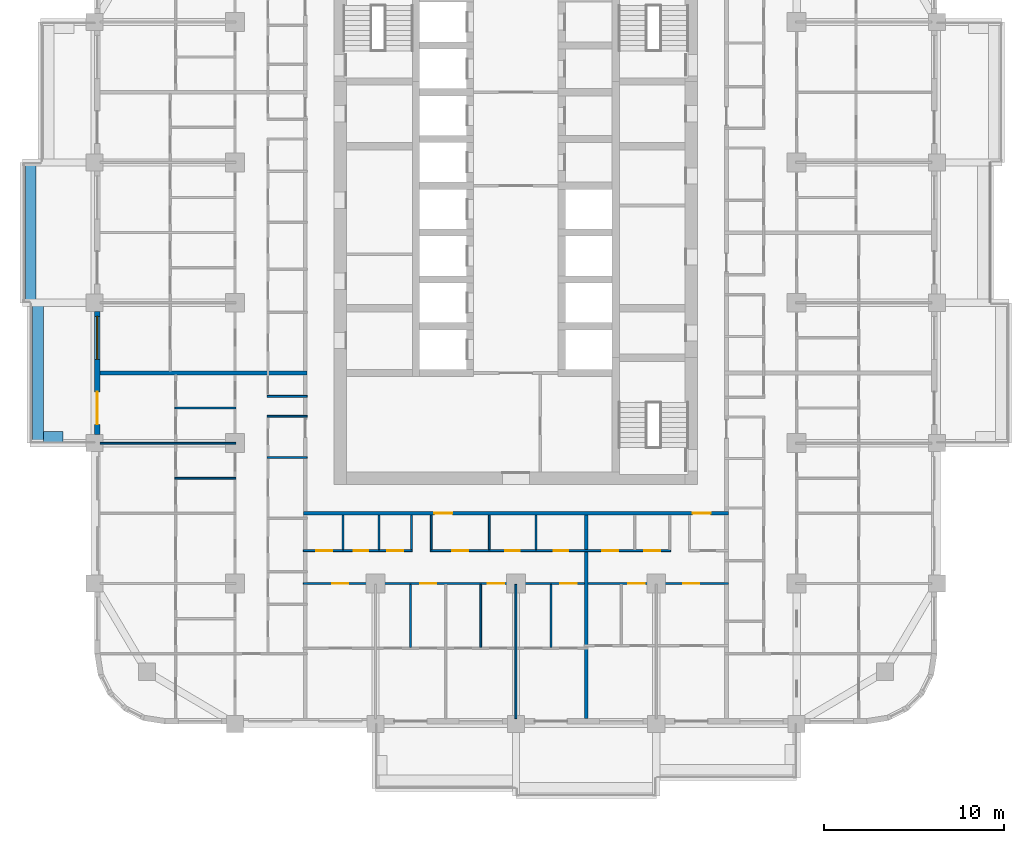
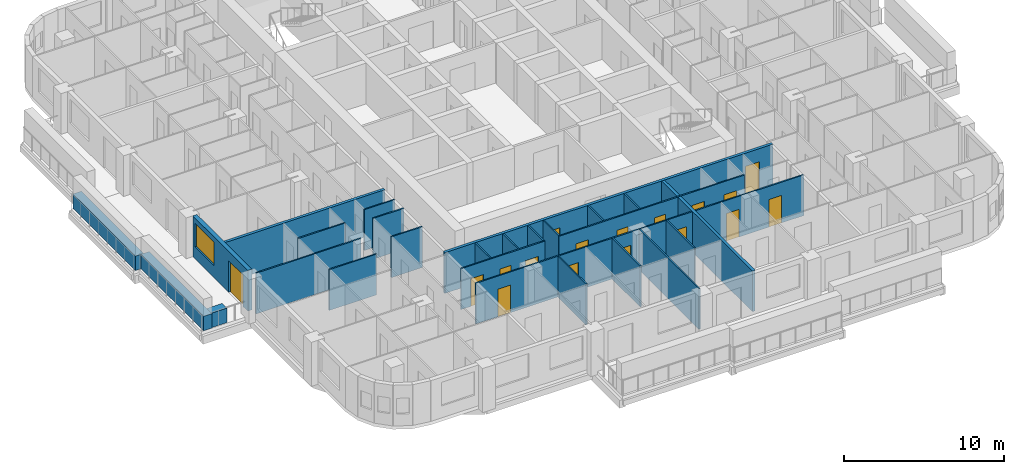
# One storey, part 4 of 17: 26 walls, 17 doors, 1 window, 18 openings.
"""IFC4 building model written with IfcOpenShell, lengths in metres."""

from ifc_helpers import new_model, si_unit, direction, frame, frame_2d, origin, place, context, subcontext, project, spatial, rectangle, extrude, material, layer, layer_set, type_object, element, fill, save


model = new_model("IFC4")

# Units and contexts
model_context = context("Model", 3, precision=1e-05, world=origin(), true_north=direction((0.0, 1.0)))
body_context = subcontext(model_context, "Body", "Model", "MODEL_VIEW")
ifc_project = project(units=[si_unit("LENGTHUNIT", "METRE"), si_unit("AREAUNIT", "SQUARE_METRE"), si_unit("VOLUMEUNIT", "CUBIC_METRE"), si_unit("PLANEANGLEUNIT", "RADIAN"), si_unit("MASSUNIT", "GRAM", prefix="KILO")], contexts=[model_context])

# Site, building, storey
site_placement = place(None, origin())
site = spatial("IfcSite", under=ifc_project, at=site_placement, CompositionType="ELEMENT")
building_placement = place(site_placement, origin())
building = spatial("IfcBuilding", under=site, at=building_placement, Name="Ludao Terraces", CompositionType="ELEMENT")
storey_placement = place(building_placement, frame((0.0, 0.0, 92.0)))
storey = spatial("IfcBuildingStorey", under=building, at=storey_placement, Name="L25", CompositionType="ELEMENT", Elevation=92.0)

# Walls
ifc_material_1 = material(Name="Concrete C40", Category="concrete")
ifc_layer_1 = layer(ifc_material_1, 0.60009765625)
ifc_layer_set_1 = layer_set([ifc_layer_1], Name="ENV Planter trough 600")
wall_type_1 = type_object("IfcWallType", Name="ENV Planter trough 600", PredefinedType="USERDEFINED", material=ifc_layer_set_1)
wall_1_placement = place(storey_placement, frame((58.449951171875, 57.199951171875, 0.0), z_axis=(0.0, 0.0, 1.0), x_axis=(0.0, 1.0, 0.0)))
element("IfcWall", 1, at=wall_1_placement, inside=storey, type_object=wall_type_1, Name="PL-L25-W2", ObjectType="PLANTER", PredefinedType="USERDEFINED", context=body_context, shape_type="SweptSolid", body=[
    extrude(rectangle(XDim=7.800048828125, YDim=0.60009765625, at=frame_2d((3.89990234375, 0.0))), origin(), (0.0, 0.0, 1.0), 1.10009765625),
])
wall_2_placement = place(storey_placement, frame((58.75, 57.550048828125, 0.0), z_axis=(0.0, 0.0, 1.0), x_axis=(1.0, 0.0, 0.0)))
element("IfcWall", 2, at=wall_2_placement, inside=storey, type_object=wall_type_1, Name="PL-L25-W2-SA", ObjectType="PLANTER", PredefinedType="USERDEFINED", context=body_context, shape_type="SweptSolid", body=[
    extrude(rectangle(XDim=1.10009765625, YDim=0.60009765625, at=frame_2d((0.550048828125, 0.0))), origin(), (0.0, 0.0, 1.0), 1.10009765625),
])
wall_3_placement = place(storey_placement, frame((58.050048828125, 65.0, 0.0), z_axis=(0.0, 0.0, 1.0), x_axis=(0.0, 1.0, 0.0)))
element("IfcWall", 3, at=wall_3_placement, inside=storey, type_object=wall_type_1, Name="PL-L25-W3", ObjectType="PLANTER", PredefinedType="USERDEFINED", context=body_context, shape_type="SweptSolid", body=[
    extrude(rectangle(XDim=7.800048828125, YDim=0.60009765625, at=frame_2d((3.89990234375, 0.0))), origin(), (0.0, 0.0, 1.0), 1.10009765625),
])

# Wall, openings, door, window
ifc_material_2 = material(Name="Granite cladding", Category="masonry")
ifc_layer_2 = layer(ifc_material_2, 0.0400390625, Category="stone")
ifc_material_3 = material(Name="Mineral wool")
ifc_layer_3 = layer(ifc_material_3, 0.06005859375)
ifc_layer_4 = layer(ifc_material_1, 0.199951171875, Category="concrete")
ifc_layer_set_2 = layer_set([ifc_layer_2, ifc_layer_3, ifc_layer_4], Name="ENV Stone-clad wall 300")
wall_type_2 = type_object("IfcWallType", Name="ENV Stone-clad wall 300", PredefinedType="SOLIDWALL", material=ifc_layer_set_2)
wall_4_placement = place(storey_placement, frame((61.75, 57.675048828125, 0.0), z_axis=(0.0, 0.0, 1.0), x_axis=(0.0, 1.0, 0.0)))
wall_4 = element("IfcWall", 4, at=wall_4_placement, inside=storey, type_object=wall_type_2, Name="EW-L25-W3", PredefinedType="SOLIDWALL", context=body_context, shape_type="SweptSolid", body=[
    extrude(rectangle(XDim=6.849853515625, YDim=0.300048828125, at=frame_2d((3.4248046875, 0.0))), origin(), (0.0, 0.0, 1.0), 3.10009765625),
])
opening_1_placement = place(wall_4_placement, frame((0.574951171875, 0.0, 0.0)))
opening_1 = element("IfcOpeningElement", 5, at=opening_1_placement, cuts=wall_4, Name="Opening BD", PredefinedType="OPENING", context=body_context, shape_type="SweptSolid", body=[
    extrude(rectangle(XDim=1.800048828125, YDim=2.39990234375, at=frame_2d((0.89990234375, 1.199951171875))), frame((0.0, 0.16015625, 0.0), z_axis=(0.0, -1.0, 0.0), x_axis=(1.0, 0.0, 0.0)), (0.0, 0.0, 1.0), 0.320068359375),
])
opening_2_placement = place(wall_4_placement, frame((4.175048828125, 0.0, 0.89990234375)))
opening_2 = element("IfcOpeningElement", 6, at=opening_2_placement, cuts=wall_4, Name="Opening W1", PredefinedType="OPENING", context=body_context, shape_type="SweptSolid", body=[
    extrude(rectangle(XDim=2.39990234375, YDim=1.800048828125, at=frame_2d((1.199951171875, 0.89990234375))), frame((0.0, 0.16015625, 0.0), z_axis=(0.0, -1.0, 0.0), x_axis=(1.0, 0.0, 0.0)), (0.0, 0.0, 1.0), 0.320068359375),
])
ifc_material_4 = material(Name="Aluminium glazed door", Category="aluminium")
ifc_layer_5 = layer(ifc_material_4, 0.06005859375)
ifc_layer_set_3 = layer_set([ifc_layer_5], Name="ENV Balcony door BD 1800x2400")
door_type_1 = type_object("IfcDoorType", Name="ENV Balcony door BD 1800x2400", OperationType="DOUBLE_DOOR_SINGLE_SWING", PredefinedType="DOOR", material=ifc_layer_set_3)
door_1_placement = place(opening_1_placement, origin())
door_1 = element("IfcDoor", 7, at=door_1_placement, inside=storey, type_object=door_type_1, Name="BD-L25-W3-1", OperationType="DOUBLE_DOOR_SINGLE_SWING", OverallHeight=2.39990234375, OverallWidth=1.800048828125, PredefinedType="DOOR", context=body_context, shape_type="SweptSolid", body=[
    extrude(rectangle(XDim=1.800048828125, YDim=2.39990234375, at=frame_2d((0.89990234375, 1.199951171875))), frame((0.0, 0.02490234375, 0.0), z_axis=(0.0, -1.0, 0.0), x_axis=(1.0, 0.0, 0.0)), (0.0, 0.0, 1.0), 0.050048828125),
])
fill(opening_1, door_1)
ifc_material_5 = material(Name="Clear glass in aluminium frame", Category="aluminium")
ifc_layer_6 = layer(ifc_material_5, 0.06005859375)
ifc_layer_set_4 = layer_set([ifc_layer_6], Name="ENV Window W1 2400x1800")
window_type = type_object("IfcWindowType", Name="ENV Window W1 2400x1800", PartitioningType="DOUBLE_PANEL_VERTICAL", PredefinedType="WINDOW", material=ifc_layer_set_4)
window_placement = place(opening_2_placement, origin())
window = element("IfcWindow", 8, at=window_placement, inside=storey, type_object=window_type, Name="W-L25-W3-2", OverallHeight=1.800048828125, OverallWidth=2.39990234375, PartitioningType="DOUBLE_PANEL_VERTICAL", PredefinedType="WINDOW", context=body_context, shape_type="SweptSolid", body=[
    extrude(rectangle(XDim=2.39990234375, YDim=1.800048828125, at=frame_2d((1.199951171875, 0.89990234375))), frame((0.0, 0.030029296875, 0.0), z_axis=(0.0, -1.0, 0.0), x_axis=(1.0, 0.0, 0.0)), (0.0, 0.0, 1.0), 0.06005859375),
])
fill(opening_2, window)

# Wall, openings, doors
ifc_material_6 = material(Name="Autoclaved aerated concrete block B06 A3.5", Category="concrete")
ifc_layer_7 = layer(ifc_material_6, 0.199951171875)
ifc_layer_set_5 = layer_set([ifc_layer_7], Name="INT Entrance wall 200")
wall_type_3 = type_object("IfcWallType", Name="INT Entrance wall 200", PredefinedType="PARTITIONING", material=ifc_layer_set_5)
wall_5_placement = place(storey_placement, frame((73.2001953125, 53.300048828125, 0.0), z_axis=(0.0, 0.0, 1.0), x_axis=(1.0, 0.0, 0.0)))
wall_5 = element("IfcWall", 9, at=wall_5_placement, inside=storey, type_object=wall_type_3, Name="PW-L25-PW017", PredefinedType="PARTITIONING", context=body_context, shape_type="SweptSolid", body=[
    extrude(rectangle(XDim=23.599853515625, YDim=0.199951171875, at=frame_2d((11.7998046875, 0.0))), origin(), (0.0, 0.0, 1.0), 3.10009765625),
])
opening_3_placement = place(wall_5_placement, frame((7.27490234375, 0.0, 0.0)))
opening_3 = element("IfcOpeningElement", 10, at=opening_3_placement, cuts=wall_5, Name="Opening R07-047", PredefinedType="OPENING", context=body_context, shape_type="SweptSolid", body=[
    extrude(rectangle(XDim=1.0, YDim=2.10009765625, at=frame_2d((0.5, 1.050048828125))), frame((0.0, 0.10986328125, 0.0), z_axis=(0.0, -1.0, 0.0), x_axis=(1.0, 0.0, 0.0)), (0.0, 0.0, 1.0), 0.219970703125),
])
opening_4_placement = place(wall_5_placement, frame((21.625, 0.0, 0.0)))
opening_4 = element("IfcOpeningElement", 11, at=opening_4_placement, cuts=wall_5, Name="Opening R07-048", PredefinedType="OPENING", context=body_context, shape_type="SweptSolid", body=[
    extrude(rectangle(XDim=1.0, YDim=2.10009765625, at=frame_2d((0.5, 1.050048828125))), frame((0.0, 0.10986328125, 0.0), z_axis=(0.0, -1.0, 0.0), x_axis=(1.0, 0.0, 0.0)), (0.0, 0.0, 1.0), 0.219970703125),
])
ifc_material_7 = material(Name="Steel Q235", Category="steel")
door_type_2 = type_object("IfcDoorType", Name="INT Flat entrance door 1000", OperationType="SINGLE_SWING_LEFT", PredefinedType="DOOR", material=ifc_material_7)
door_2_placement = place(opening_3_placement, origin())
door_2 = element("IfcDoor", 12, at=door_2_placement, inside=storey, type_object=door_type_2, Name="DOOR 047", OperationType="SINGLE_SWING_LEFT", OverallHeight=2.10009765625, OverallWidth=1.0, PredefinedType="DOOR", context=body_context, shape_type="SweptSolid", body=[
    extrude(rectangle(XDim=1.0, YDim=2.10009765625, at=frame_2d((0.5, 1.050048828125))), frame((0.0, 0.02490234375, 0.0), z_axis=(0.0, -1.0, 0.0), x_axis=(1.0, 0.0, 0.0)), (0.0, 0.0, 1.0), 0.050048828125),
])
fill(opening_3, door_2)
door_3_placement = place(opening_4_placement, origin())
door_3 = element("IfcDoor", 13, at=door_3_placement, inside=storey, type_object=door_type_2, Name="DOOR 048", OperationType="SINGLE_SWING_LEFT", OverallHeight=2.10009765625, OverallWidth=1.0, PredefinedType="DOOR", context=body_context, shape_type="SweptSolid", body=[
    extrude(rectangle(XDim=1.0, YDim=2.10009765625, at=frame_2d((0.5, 1.050048828125))), frame((0.0, 0.02490234375, 0.0), z_axis=(0.0, -1.0, 0.0), x_axis=(1.0, 0.0, 0.0)), (0.0, 0.0, 1.0), 0.050048828125),
])
fill(opening_4, door_3)

ifc_material_8 = material(Name="Gypsum plasterboard", Category="gypsum")
ifc_layer_8 = layer(ifc_material_8, 0.012451171875, Category="gypsum")
ifc_layer_9 = layer(ifc_material_3, 0.06005859375, Name="insulation")
ifc_layer_10 = layer(ifc_material_7, 0.014892578125, Name="stud")
ifc_layer_11 = layer(ifc_material_8, 0.012451171875, Category="gypsum")
ifc_layer_set_6 = layer_set([ifc_layer_8, ifc_layer_9, ifc_layer_10, ifc_layer_11], Name="INT Partition 100")
wall_type_4 = type_object("IfcWallType", Name="INT Partition 100", PredefinedType="PARTITIONING", material=ifc_layer_set_6)
wall_6_placement = place(storey_placement, frame((73.2001953125, 49.39990234375, 0.0), z_axis=(0.0, 0.0, 1.0), x_axis=(1.0, 0.0, 0.0)))
wall_6 = element("IfcWall", 14, at=wall_6_placement, inside=storey, type_object=wall_type_4, Name="PW-L25-PW008", PredefinedType="PARTITIONING", context=body_context, shape_type="SweptSolid", body=[
    extrude(rectangle(XDim=23.599853515625, YDim=0.10009765625, at=frame_2d((11.7998046875, 0.0))), origin(), (0.0, 0.0, 1.0), 3.10009765625),
])
opening_5_placement = place(wall_6_placement, frame((1.599853515625, 0.0, 0.0)))
opening_5 = element("IfcOpeningElement", 15, at=opening_5_placement, cuts=wall_6, Name="Opening R07-026", PredefinedType="OPENING", context=body_context, shape_type="SweptSolid", body=[
    extrude(rectangle(XDim=0.89990234375, YDim=2.10009765625, at=frame_2d((0.449951171875, 1.050048828125))), frame((0.0, 0.06005859375, 0.0), z_axis=(0.0, -1.0, 0.0), x_axis=(1.0, 0.0, 0.0)), (0.0, 0.0, 1.0), 0.1201171875),
])
opening_6_placement = place(wall_6_placement, frame((6.474853515625, 0.0, 0.0)))
opening_6 = element("IfcOpeningElement", 16, at=opening_6_placement, cuts=wall_6, Name="Opening R07-027", PredefinedType="OPENING", context=body_context, shape_type="SweptSolid", body=[
    extrude(rectangle(XDim=0.89990234375, YDim=2.10009765625, at=frame_2d((0.449951171875, 1.050048828125))), frame((0.0, 0.06005859375, 0.0), z_axis=(0.0, -1.0, 0.0), x_axis=(1.0, 0.0, 0.0)), (0.0, 0.0, 1.0), 0.1201171875),
])
opening_7_placement = place(wall_6_placement, frame((10.25, 0.0, 0.0)))
opening_7 = element("IfcOpeningElement", 17, at=opening_7_placement, cuts=wall_6, Name="Opening R07-028", PredefinedType="OPENING", context=body_context, shape_type="SweptSolid", body=[
    extrude(rectangle(XDim=0.89990234375, YDim=2.10009765625, at=frame_2d((0.449951171875, 1.050048828125))), frame((0.0, 0.06005859375, 0.0), z_axis=(0.0, -1.0, 0.0), x_axis=(1.0, 0.0, 0.0)), (0.0, 0.0, 1.0), 0.1201171875),
])
opening_8_placement = place(wall_6_placement, frame((14.27490234375, 0.0, 0.0)))
opening_8 = element("IfcOpeningElement", 18, at=opening_8_placement, cuts=wall_6, Name="Opening R07-029", PredefinedType="OPENING", context=body_context, shape_type="SweptSolid", body=[
    extrude(rectangle(XDim=0.89990234375, YDim=2.10009765625, at=frame_2d((0.449951171875, 1.050048828125))), frame((0.0, 0.06005859375, 0.0), z_axis=(0.0, -1.0, 0.0), x_axis=(1.0, 0.0, 0.0)), (0.0, 0.0, 1.0), 0.1201171875),
])
opening_9_placement = place(wall_6_placement, frame((18.0498046875, 0.0, 0.0)))
opening_9 = element("IfcOpeningElement", 19, at=opening_9_placement, cuts=wall_6, Name="Opening R07-030", PredefinedType="OPENING", context=body_context, shape_type="SweptSolid", body=[
    extrude(rectangle(XDim=0.89990234375, YDim=2.10009765625, at=frame_2d((0.449951171875, 1.050048828125))), frame((0.0, 0.06005859375, 0.0), z_axis=(0.0, -1.0, 0.0), x_axis=(1.0, 0.0, 0.0)), (0.0, 0.0, 1.0), 0.1201171875),
])
opening_10_placement = place(wall_6_placement, frame((21.099853515625, 0.0, 0.0)))
opening_10 = element("IfcOpeningElement", 20, at=opening_10_placement, cuts=wall_6, Name="Opening R07-031", PredefinedType="OPENING", context=body_context, shape_type="SweptSolid", body=[
    extrude(rectangle(XDim=0.89990234375, YDim=2.10009765625, at=frame_2d((0.449951171875, 1.050048828125))), frame((0.0, 0.06005859375, 0.0), z_axis=(0.0, -1.0, 0.0), x_axis=(1.0, 0.0, 0.0)), (0.0, 0.0, 1.0), 0.1201171875),
])
ifc_material_9 = material(Name="Timber door leaf", Category="wood")
door_type_3 = type_object("IfcDoorType", Name="INT Room door 900", OperationType="SINGLE_SWING_LEFT", PredefinedType="DOOR", material=ifc_material_9)
door_4_placement = place(opening_5_placement, origin())
door_4 = element("IfcDoor", 21, at=door_4_placement, inside=storey, type_object=door_type_3, Name="DOOR 026", OperationType="SINGLE_SWING_LEFT", OverallHeight=2.10009765625, OverallWidth=0.89990234375, PredefinedType="DOOR", context=body_context, shape_type="SweptSolid", body=[
    extrude(rectangle(XDim=0.89990234375, YDim=2.10009765625, at=frame_2d((0.449951171875, 1.050048828125))), frame((0.0, 0.02490234375, 0.0), z_axis=(0.0, -1.0, 0.0), x_axis=(1.0, 0.0, 0.0)), (0.0, 0.0, 1.0), 0.050048828125),
])
fill(opening_5, door_4)
door_5_placement = place(opening_6_placement, origin())
door_5 = element("IfcDoor", 22, at=door_5_placement, inside=storey, type_object=door_type_3, Name="DOOR 027", OperationType="SINGLE_SWING_RIGHT", OverallHeight=2.10009765625, OverallWidth=0.89990234375, PredefinedType="DOOR", context=body_context, shape_type="SweptSolid", body=[
    extrude(rectangle(XDim=0.89990234375, YDim=2.10009765625, at=frame_2d((0.449951171875, 1.050048828125))), frame((0.0, 0.02490234375, 0.0), z_axis=(0.0, -1.0, 0.0), x_axis=(1.0, 0.0, 0.0)), (0.0, 0.0, 1.0), 0.050048828125),
])
fill(opening_6, door_5)
door_6_placement = place(opening_7_placement, origin())
door_6 = element("IfcDoor", 23, at=door_6_placement, inside=storey, type_object=door_type_3, Name="DOOR 028", OperationType="SINGLE_SWING_RIGHT", OverallHeight=2.10009765625, OverallWidth=0.89990234375, PredefinedType="DOOR", context=body_context, shape_type="SweptSolid", body=[
    extrude(rectangle(XDim=0.89990234375, YDim=2.10009765625, at=frame_2d((0.449951171875, 1.050048828125))), frame((0.0, 0.02490234375, 0.0), z_axis=(0.0, -1.0, 0.0), x_axis=(1.0, 0.0, 0.0)), (0.0, 0.0, 1.0), 0.050048828125),
])
fill(opening_7, door_6)
door_7_placement = place(opening_8_placement, origin())
door_7 = element("IfcDoor", 24, at=door_7_placement, inside=storey, type_object=door_type_3, Name="DOOR 029", OperationType="SINGLE_SWING_LEFT", OverallHeight=2.10009765625, OverallWidth=0.89990234375, PredefinedType="DOOR", context=body_context, shape_type="SweptSolid", body=[
    extrude(rectangle(XDim=0.89990234375, YDim=2.10009765625, at=frame_2d((0.449951171875, 1.050048828125))), frame((0.0, 0.02490234375, 0.0), z_axis=(0.0, -1.0, 0.0), x_axis=(1.0, 0.0, 0.0)), (0.0, 0.0, 1.0), 0.050048828125),
])
fill(opening_8, door_7)
door_8_placement = place(opening_9_placement, origin())
door_8 = element("IfcDoor", 25, at=door_8_placement, inside=storey, type_object=door_type_3, Name="DOOR 030", OperationType="SINGLE_SWING_RIGHT", OverallHeight=2.10009765625, OverallWidth=0.89990234375, PredefinedType="DOOR", context=body_context, shape_type="SweptSolid", body=[
    extrude(rectangle(XDim=0.89990234375, YDim=2.10009765625, at=frame_2d((0.449951171875, 1.050048828125))), frame((0.0, 0.02490234375, 0.0), z_axis=(0.0, -1.0, 0.0), x_axis=(1.0, 0.0, 0.0)), (0.0, 0.0, 1.0), 0.050048828125),
])
fill(opening_9, door_8)
door_9_placement = place(opening_10_placement, origin())
door_9 = element("IfcDoor", 26, at=door_9_placement, inside=storey, type_object=door_type_3, Name="DOOR 031", OperationType="SINGLE_SWING_RIGHT", OverallHeight=2.10009765625, OverallWidth=0.89990234375, PredefinedType="DOOR", context=body_context, shape_type="SweptSolid", body=[
    extrude(rectangle(XDim=0.89990234375, YDim=2.10009765625, at=frame_2d((0.449951171875, 1.050048828125))), frame((0.0, 0.02490234375, 0.0), z_axis=(0.0, -1.0, 0.0), x_axis=(1.0, 0.0, 0.0)), (0.0, 0.0, 1.0), 0.050048828125),
])
fill(opening_10, door_9)

wall_7_placement = place(storey_placement, frame((73.2001953125, 51.22998046875, 0.0), z_axis=(0.0, 0.0, 1.0), x_axis=(1.0, 0.0, 0.0)))
wall_7 = element("IfcWall", 27, at=wall_7_placement, inside=storey, type_object=wall_type_4, Name="PW-L25-PW012", PredefinedType="PARTITIONING", context=body_context, shape_type="SweptSolid", body=[
    extrude(rectangle(XDim=6.0498046875, YDim=0.10009765625, at=frame_2d((3.02490234375, 0.0))), origin(), (0.0, 0.0, 1.0), 3.10009765625),
])
opening_11_placement = place(wall_7_placement, frame((0.699951171875, 0.0, 0.0)))
opening_11 = element("IfcOpeningElement", 28, at=opening_11_placement, cuts=wall_7, Name="Opening R07-032", PredefinedType="OPENING", context=body_context, shape_type="SweptSolid", body=[
    extrude(rectangle(XDim=0.89990234375, YDim=2.10009765625, at=frame_2d((0.449951171875, 1.050048828125))), frame((0.0, 0.06005859375, 0.0), z_axis=(0.0, -1.0, 0.0), x_axis=(1.0, 0.0, 0.0)), (0.0, 0.0, 1.0), 0.1201171875),
])
opening_12_placement = place(wall_7_placement, frame((2.7998046875, 0.0, 0.0)))
opening_12 = element("IfcOpeningElement", 29, at=opening_12_placement, cuts=wall_7, Name="Opening R07-033", PredefinedType="OPENING", context=body_context, shape_type="SweptSolid", body=[
    extrude(rectangle(XDim=0.800048828125, YDim=2.10009765625, at=frame_2d((0.39990234375, 1.050048828125))), frame((0.0, 0.06005859375, 0.0), z_axis=(0.0, -1.0, 0.0), x_axis=(1.0, 0.0, 0.0)), (0.0, 0.0, 1.0), 0.1201171875),
])
opening_13_placement = place(wall_7_placement, frame((4.64990234375, 0.0, 0.0)))
opening_13 = element("IfcOpeningElement", 30, at=opening_13_placement, cuts=wall_7, Name="Opening R07-034", PredefinedType="OPENING", context=body_context, shape_type="SweptSolid", body=[
    extrude(rectangle(XDim=0.89990234375, YDim=2.10009765625, at=frame_2d((0.449951171875, 1.050048828125))), frame((0.0, 0.06005859375, 0.0), z_axis=(0.0, -1.0, 0.0), x_axis=(1.0, 0.0, 0.0)), (0.0, 0.0, 1.0), 0.1201171875),
])
door_type_4 = type_object("IfcDoorType", Name="INT Bathroom door 900", OperationType="SINGLE_SWING_LEFT", PredefinedType="DOOR", material=ifc_material_9)
door_10_placement = place(opening_11_placement, origin())
door_10 = element("IfcDoor", 31, at=door_10_placement, inside=storey, type_object=door_type_4, Name="DOOR 032", OperationType="SINGLE_SWING_LEFT", OverallHeight=2.10009765625, OverallWidth=0.89990234375, PredefinedType="DOOR", context=body_context, shape_type="SweptSolid", body=[
    extrude(rectangle(XDim=0.89990234375, YDim=2.10009765625, at=frame_2d((0.449951171875, 1.050048828125))), frame((0.0, 0.02490234375, 0.0), z_axis=(0.0, -1.0, 0.0), x_axis=(1.0, 0.0, 0.0)), (0.0, 0.0, 1.0), 0.050048828125),
])
fill(opening_11, door_10)
door_11_placement = place(opening_13_placement, origin())
door_11 = element("IfcDoor", 32, at=door_11_placement, inside=storey, type_object=door_type_4, Name="DOOR 034", OperationType="SINGLE_SWING_LEFT", OverallHeight=2.10009765625, OverallWidth=0.89990234375, PredefinedType="DOOR", context=body_context, shape_type="SweptSolid", body=[
    extrude(rectangle(XDim=0.89990234375, YDim=2.10009765625, at=frame_2d((0.449951171875, 1.050048828125))), frame((0.0, 0.02490234375, 0.0), z_axis=(0.0, -1.0, 0.0), x_axis=(1.0, 0.0, 0.0)), (0.0, 0.0, 1.0), 0.050048828125),
])
fill(opening_13, door_11)
door_type_5 = type_object("IfcDoorType", Name="INT Store door 800", OperationType="SINGLE_SWING_LEFT", PredefinedType="DOOR", material=ifc_material_9)
door_12_placement = place(opening_12_placement, origin())
door_12 = element("IfcDoor", 33, at=door_12_placement, inside=storey, type_object=door_type_5, Name="DOOR 033", OperationType="SINGLE_SWING_LEFT", OverallHeight=2.10009765625, OverallWidth=0.800048828125, PredefinedType="DOOR", context=body_context, shape_type="SweptSolid", body=[
    extrude(rectangle(XDim=0.800048828125, YDim=2.10009765625, at=frame_2d((0.39990234375, 1.050048828125))), frame((0.0, 0.02490234375, 0.0), z_axis=(0.0, -1.0, 0.0), x_axis=(1.0, 0.0, 0.0)), (0.0, 0.0, 1.0), 0.050048828125),
])
fill(opening_12, door_12)

wall_8_placement = place(storey_placement, frame((80.25, 51.22998046875, 0.0), z_axis=(0.0, 0.0, 1.0), x_axis=(1.0, 0.0, 0.0)))
wall_8 = element("IfcWall", 34, at=wall_8_placement, inside=storey, type_object=wall_type_4, Name="PW-L25-PW013", PredefinedType="PARTITIONING", context=body_context, shape_type="SweptSolid", body=[
    extrude(rectangle(XDim=13.35009765625, YDim=0.10009765625, at=frame_2d((6.675048828125, 0.0))), origin(), (0.0, 0.0, 1.0), 3.10009765625),
])
opening_14_placement = place(wall_8_placement, frame((1.210205078125, 0.0, 0.0)))
opening_14 = element("IfcOpeningElement", 35, at=opening_14_placement, cuts=wall_8, Name="Opening R07-035", PredefinedType="OPENING", context=body_context, shape_type="SweptSolid", body=[
    extrude(rectangle(XDim=0.89990234375, YDim=2.10009765625, at=frame_2d((0.449951171875, 1.050048828125))), frame((0.0, 0.06005859375, 0.0), z_axis=(0.0, -1.0, 0.0), x_axis=(1.0, 0.0, 0.0)), (0.0, 0.0, 1.0), 0.1201171875),
])
opening_15_placement = place(wall_8_placement, frame((4.170166015625, 0.0, 0.0)))
opening_15 = element("IfcOpeningElement", 36, at=opening_15_placement, cuts=wall_8, Name="Opening R07-036", PredefinedType="OPENING", context=body_context, shape_type="SweptSolid", body=[
    extrude(rectangle(XDim=0.800048828125, YDim=2.10009765625, at=frame_2d((0.39990234375, 1.050048828125))), frame((0.0, 0.06005859375, 0.0), z_axis=(0.0, -1.0, 0.0), x_axis=(1.0, 0.0, 0.0)), (0.0, 0.0, 1.0), 0.1201171875),
])
opening_16_placement = place(wall_8_placement, frame((6.860107421875, 0.0, 0.0)))
opening_16 = element("IfcOpeningElement", 37, at=opening_16_placement, cuts=wall_8, Name="Opening R07-037", PredefinedType="OPENING", context=body_context, shape_type="SweptSolid", body=[
    extrude(rectangle(XDim=0.800048828125, YDim=2.10009765625, at=frame_2d((0.39990234375, 1.050048828125))), frame((0.0, 0.06005859375, 0.0), z_axis=(0.0, -1.0, 0.0), x_axis=(1.0, 0.0, 0.0)), (0.0, 0.0, 1.0), 0.1201171875),
])
opening_17_placement = place(wall_8_placement, frame((9.550048828125, 0.0, 0.0)))
opening_17 = element("IfcOpeningElement", 38, at=opening_17_placement, cuts=wall_8, Name="Opening R07-038", PredefinedType="OPENING", context=body_context, shape_type="SweptSolid", body=[
    extrude(rectangle(XDim=0.89990234375, YDim=2.10009765625, at=frame_2d((0.449951171875, 1.050048828125))), frame((0.0, 0.06005859375, 0.0), z_axis=(0.0, -1.0, 0.0), x_axis=(1.0, 0.0, 0.0)), (0.0, 0.0, 1.0), 0.1201171875),
])
opening_18_placement = place(wall_8_placement, frame((11.875, 0.0, 0.0)))
opening_18 = element("IfcOpeningElement", 39, at=opening_18_placement, cuts=wall_8, Name="Opening R07-039", PredefinedType="OPENING", context=body_context, shape_type="SweptSolid", body=[
    extrude(rectangle(XDim=0.89990234375, YDim=2.10009765625, at=frame_2d((0.449951171875, 1.050048828125))), frame((0.0, 0.06005859375, 0.0), z_axis=(0.0, -1.0, 0.0), x_axis=(1.0, 0.0, 0.0)), (0.0, 0.0, 1.0), 0.1201171875),
])
door_13_placement = place(opening_18_placement, origin())
door_13 = element("IfcDoor", 40, at=door_13_placement, inside=storey, type_object=door_type_4, Name="DOOR 039", OperationType="SINGLE_SWING_LEFT", OverallHeight=2.10009765625, OverallWidth=0.89990234375, PredefinedType="DOOR", context=body_context, shape_type="SweptSolid", body=[
    extrude(rectangle(XDim=0.89990234375, YDim=2.10009765625, at=frame_2d((0.449951171875, 1.050048828125))), frame((0.0, 0.02490234375, 0.0), z_axis=(0.0, -1.0, 0.0), x_axis=(1.0, 0.0, 0.0)), (0.0, 0.0, 1.0), 0.050048828125),
])
fill(opening_18, door_13)
door_14_placement = place(opening_14_placement, origin())
door_14 = element("IfcDoor", 41, at=door_14_placement, inside=storey, type_object=door_type_3, Name="DOOR 035", OperationType="SINGLE_SWING_LEFT", OverallHeight=2.10009765625, OverallWidth=0.89990234375, PredefinedType="DOOR", context=body_context, shape_type="SweptSolid", body=[
    extrude(rectangle(XDim=0.89990234375, YDim=2.10009765625, at=frame_2d((0.449951171875, 1.050048828125))), frame((0.0, 0.02490234375, 0.0), z_axis=(0.0, -1.0, 0.0), x_axis=(1.0, 0.0, 0.0)), (0.0, 0.0, 1.0), 0.050048828125),
])
fill(opening_14, door_14)
door_15_placement = place(opening_17_placement, origin())
door_15 = element("IfcDoor", 42, at=door_15_placement, inside=storey, type_object=door_type_3, Name="DOOR 038", OperationType="SINGLE_SWING_LEFT", OverallHeight=2.10009765625, OverallWidth=0.89990234375, PredefinedType="DOOR", context=body_context, shape_type="SweptSolid", body=[
    extrude(rectangle(XDim=0.89990234375, YDim=2.10009765625, at=frame_2d((0.449951171875, 1.050048828125))), frame((0.0, 0.02490234375, 0.0), z_axis=(0.0, -1.0, 0.0), x_axis=(1.0, 0.0, 0.0)), (0.0, 0.0, 1.0), 0.050048828125),
])
fill(opening_17, door_15)
door_16_placement = place(opening_15_placement, origin())
door_16 = element("IfcDoor", 43, at=door_16_placement, inside=storey, type_object=door_type_5, Name="DOOR 036", OperationType="SINGLE_SWING_RIGHT", OverallHeight=2.10009765625, OverallWidth=0.800048828125, PredefinedType="DOOR", context=body_context, shape_type="SweptSolid", body=[
    extrude(rectangle(XDim=0.800048828125, YDim=2.10009765625, at=frame_2d((0.39990234375, 1.050048828125))), frame((0.0, 0.02490234375, 0.0), z_axis=(0.0, -1.0, 0.0), x_axis=(1.0, 0.0, 0.0)), (0.0, 0.0, 1.0), 0.050048828125),
])
fill(opening_15, door_16)
door_17_placement = place(opening_16_placement, origin())
door_17 = element("IfcDoor", 44, at=door_17_placement, inside=storey, type_object=door_type_5, Name="DOOR 037", OperationType="SINGLE_SWING_LEFT", OverallHeight=2.10009765625, OverallWidth=0.800048828125, PredefinedType="DOOR", context=body_context, shape_type="SweptSolid", body=[
    extrude(rectangle(XDim=0.800048828125, YDim=2.10009765625, at=frame_2d((0.39990234375, 1.050048828125))), frame((0.0, 0.02490234375, 0.0), z_axis=(0.0, -1.0, 0.0), x_axis=(1.0, 0.0, 0.0)), (0.0, 0.0, 1.0), 0.050048828125),
])
fill(opening_16, door_17)

# Walls
wall_9_placement = place(storey_placement, frame((66.050048828125, 55.25, 0.0), z_axis=(0.0, 0.0, 1.0), x_axis=(1.0, 0.0, 0.0)))
element("IfcWall", 45, at=wall_9_placement, inside=storey, type_object=wall_type_4, Name="PW-L25-PW020", PredefinedType="PARTITIONING", context=body_context, shape_type="SweptSolid", body=[
    extrude(rectangle(XDim=3.400146484375, YDim=0.10009765625, at=frame_2d((1.7001953125, 0.0))), origin(), (0.0, 0.0, 1.0), 3.10009765625),
])
wall_10_placement = place(storey_placement, frame((71.18017578125, 56.39990234375, 0.0), z_axis=(0.0, 0.0, 1.0), x_axis=(1.0, 0.0, 0.0)))
element("IfcWall", 46, at=wall_10_placement, inside=storey, type_object=wall_type_4, Name="PW-L25-PW023", PredefinedType="PARTITIONING", context=body_context, shape_type="SweptSolid", body=[
    extrude(rectangle(XDim=2.219970703125, YDim=0.10009765625, at=frame_2d((1.10986328125, 0.0))), origin(), (0.0, 0.0, 1.0), 3.10009765625),
])
wall_11_placement = place(storey_placement, frame((61.900146484375, 57.199951171875, 0.0), z_axis=(0.0, 0.0, 1.0), x_axis=(1.0, 0.0, 0.0)))
element("IfcWall", 47, at=wall_11_placement, inside=storey, type_object=wall_type_4, Name="PW-L25-PW024", PredefinedType="PARTITIONING", context=body_context, shape_type="SweptSolid", body=[
    extrude(rectangle(XDim=7.550048828125, YDim=0.10009765625, at=frame_2d((3.77490234375, 0.0))), origin(), (0.0, 0.0, 1.0), 3.10009765625),
])
wall_12_placement = place(storey_placement, frame((71.18017578125, 58.699951171875, 0.0), z_axis=(0.0, 0.0, 1.0), x_axis=(1.0, 0.0, 0.0)))
element("IfcWall", 48, at=wall_12_placement, inside=storey, type_object=wall_type_4, Name="PW-L25-PW027", PredefinedType="PARTITIONING", context=body_context, shape_type="SweptSolid", body=[
    extrude(rectangle(XDim=2.219970703125, YDim=0.10009765625, at=frame_2d((1.10986328125, 0.0))), origin(), (0.0, 0.0, 1.0), 3.10009765625),
])
wall_13_placement = place(storey_placement, frame((66.050048828125, 59.14990234375, 0.0), z_axis=(0.0, 0.0, 1.0), x_axis=(1.0, 0.0, 0.0)))
element("IfcWall", 49, at=wall_13_placement, inside=storey, type_object=wall_type_4, Name="PW-L25-PW028", PredefinedType="PARTITIONING", context=body_context, shape_type="SweptSolid", body=[
    extrude(rectangle(XDim=3.400146484375, YDim=0.10009765625, at=frame_2d((1.7001953125, 0.0))), origin(), (0.0, 0.0, 1.0), 3.10009765625),
])
wall_14_placement = place(storey_placement, frame((71.18017578125, 59.800048828125, 0.0), z_axis=(0.0, 0.0, 1.0), x_axis=(1.0, 0.0, 0.0)))
element("IfcWall", 50, at=wall_14_placement, inside=storey, type_object=wall_type_4, Name="PW-L25-PW031", PredefinedType="PARTITIONING", context=body_context, shape_type="SweptSolid", body=[
    extrude(rectangle(XDim=2.219970703125, YDim=0.10009765625, at=frame_2d((1.10986328125, 0.0))), origin(), (0.0, 0.0, 1.0), 3.10009765625),
])
for number, where, z_axis, x_axis, name in (
    (51, (75.39990234375, 51.280029296875, 0.0), (0.0, 0.0, 1.0), (0.0, 1.0, 0.0), "PW-L25-PW090"),
    (52, (77.39990234375, 51.280029296875, 0.0), (0.0, 0.0, 1.0), (0.0, 1.0, 0.0), "PW-L25-PW093"),
):
    element("IfcWall", number, at=place(storey_placement, frame(where, z_axis=z_axis, x_axis=x_axis)), inside=storey, type_object=wall_type_4, Name=name, PredefinedType="PARTITIONING", context=body_context, shape_type="SweptSolid", body=[
        extrude(rectangle(XDim=1.920166015625, YDim=0.10009765625, at=frame_2d((0.9599609375, 0.0))), origin(), (0.0, 0.0, 1.0), 3.10009765625),
    ])
wall_15_placement = place(storey_placement, frame((79.14990234375, 45.85009765625, 0.0), z_axis=(0.0, 0.0, 1.0), x_axis=(0.0, 1.0, 0.0)))
element("IfcWall", 53, at=wall_15_placement, inside=storey, type_object=wall_type_4, Name="PW-L25-PW094", PredefinedType="PARTITIONING", context=body_context, shape_type="SweptSolid", body=[
    extrude(rectangle(XDim=3.5, YDim=0.10009765625, at=frame_2d((1.75, 0.0))), origin(), (0.0, 0.0, 1.0), 3.10009765625),
])
for number, where, z_axis, x_axis, name in (
    (54, (79.199951171875, 51.280029296875, 0.0), (0.0, 0.0, 1.0), (0.0, 1.0, 0.0), "PW-L25-PW095"),
    (55, (80.300048828125, 51.280029296875, 0.0), (0.0, 0.0, 1.0), (0.0, 1.0, 0.0), "PW-L25-PW096"),
):
    element("IfcWall", number, at=place(storey_placement, frame(where, z_axis=z_axis, x_axis=x_axis)), inside=storey, type_object=wall_type_4, Name=name, PredefinedType="PARTITIONING", context=body_context, shape_type="SweptSolid", body=[
        extrude(rectangle(XDim=1.920166015625, YDim=0.10009765625, at=frame_2d((0.9599609375, 0.0))), origin(), (0.0, 0.0, 1.0), 3.10009765625),
    ])
wall_16_placement = place(storey_placement, frame((83.050048828125, 45.85009765625, 0.0), z_axis=(0.0, 0.0, 1.0), x_axis=(0.0, 1.0, 0.0)))
element("IfcWall", 56, at=wall_16_placement, inside=storey, type_object=wall_type_4, Name="PW-L25-PW099", PredefinedType="PARTITIONING", context=body_context, shape_type="SweptSolid", body=[
    extrude(rectangle(XDim=3.5, YDim=0.10009765625, at=frame_2d((1.75, 0.0))), origin(), (0.0, 0.0, 1.0), 3.10009765625),
])
wall_17_placement = place(storey_placement, frame((83.52001953125, 51.280029296875, 0.0), z_axis=(0.0, 0.0, 1.0), x_axis=(0.0, 1.0, 0.0)))
element("IfcWall", 57, at=wall_17_placement, inside=storey, type_object=wall_type_4, Name="PW-L25-PW100", PredefinedType="PARTITIONING", context=body_context, shape_type="SweptSolid", body=[
    extrude(rectangle(XDim=1.920166015625, YDim=0.10009765625, at=frame_2d((0.9599609375, 0.0))), origin(), (0.0, 0.0, 1.0), 3.10009765625),
])
wall_18_placement = place(storey_placement, frame((85.0, 41.900146484375, 0.0), z_axis=(0.0, 0.0, 1.0), x_axis=(0.0, 1.0, 0.0)))
element("IfcWall", 58, at=wall_18_placement, inside=storey, type_object=wall_type_4, Name="PW-L25-PW101", PredefinedType="PARTITIONING", context=body_context, shape_type="SweptSolid", body=[
    extrude(rectangle(XDim=7.449951171875, YDim=0.10009765625, at=frame_2d((3.72509765625, 0.0))), origin(), (0.0, 0.0, 1.0), 3.10009765625),
])
wall_19_placement = place(storey_placement, frame((86.1201171875, 51.280029296875, 0.0), z_axis=(0.0, 0.0, 1.0), x_axis=(0.0, 1.0, 0.0)))
element("IfcWall", 59, at=wall_19_placement, inside=storey, type_object=wall_type_4, Name="PW-L25-PW103", PredefinedType="PARTITIONING", context=body_context, shape_type="SweptSolid", body=[
    extrude(rectangle(XDim=1.920166015625, YDim=0.10009765625, at=frame_2d((0.9599609375, 0.0))), origin(), (0.0, 0.0, 1.0), 3.10009765625),
])
wall_20_placement = place(storey_placement, frame((86.949951171875, 45.85009765625, 0.0), z_axis=(0.0, 0.0, 1.0), x_axis=(0.0, 1.0, 0.0)))
element("IfcWall", 60, at=wall_20_placement, inside=storey, type_object=wall_type_4, Name="PW-L25-PW105", PredefinedType="PARTITIONING", context=body_context, shape_type="SweptSolid", body=[
    extrude(rectangle(XDim=3.5, YDim=0.10009765625, at=frame_2d((1.75, 0.0))), origin(), (0.0, 0.0, 1.0), 3.10009765625),
])
ifc_layer_12 = layer(ifc_material_6, 0.199951171875)
ifc_layer_set_7 = layer_set([ifc_layer_12], Name="INT Party wall 200")
wall_type_5 = type_object("IfcWallType", Name="INT Party wall 200", PredefinedType="PARTITIONING", material=ifc_layer_set_7)
wall_21_placement = place(storey_placement, frame((61.900146484375, 61.10009765625, 0.0), z_axis=(0.0, 0.0, 1.0), x_axis=(1.0, 0.0, 0.0)))
element("IfcWall", 61, at=wall_21_placement, inside=storey, type_object=wall_type_5, Name="PW-L25-PW032", PredefinedType="PARTITIONING", context=body_context, shape_type="SweptSolid", body=[
    extrude(rectangle(XDim=11.5, YDim=0.199951171875, at=frame_2d((5.75, 0.0))), origin(), (0.0, 0.0, 1.0), 3.10009765625),
])
wall_22_placement = place(storey_placement, frame((88.89990234375, 41.900146484375, 0.0), z_axis=(0.0, 0.0, 1.0), x_axis=(0.0, 1.0, 0.0)))
element("IfcWall", 62, at=wall_22_placement, inside=storey, type_object=wall_type_5, Name="PW-L25-PW106", PredefinedType="PARTITIONING", context=body_context, shape_type="SweptSolid", body=[
    extrude(rectangle(XDim=11.300048828125, YDim=0.199951171875, at=frame_2d((5.64990234375, 0.0))), origin(), (0.0, 0.0, 1.0), 3.10009765625),
])

save(model, "model.ifc")
